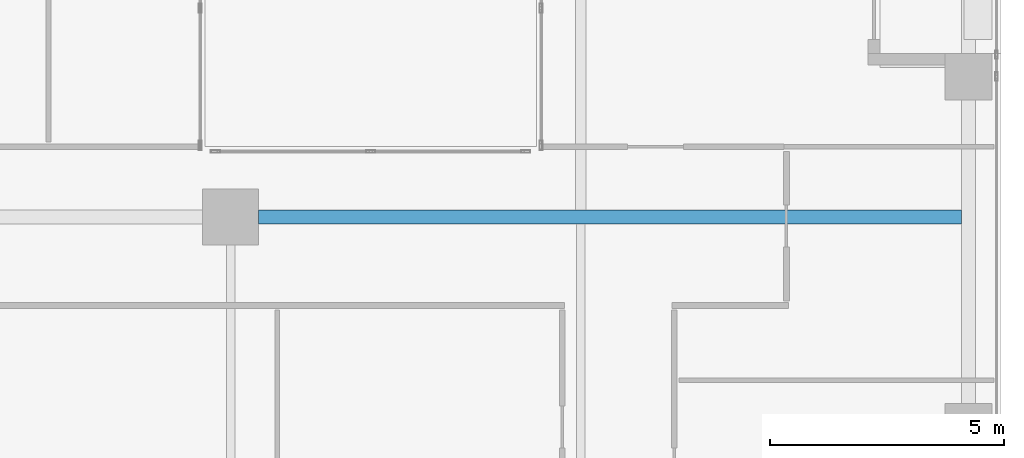
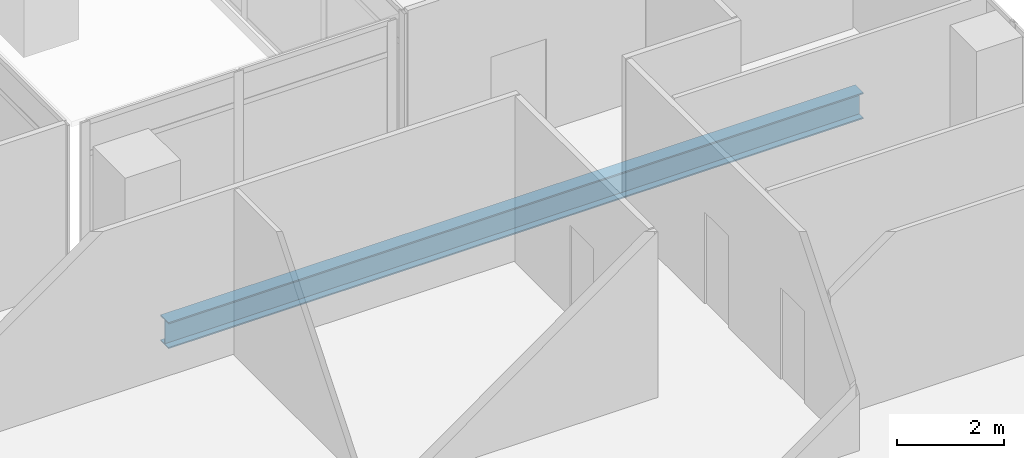
# One storey, part 16 of 40: 1 beam.
"""IFC4 building model written with IfcOpenShell, lengths in metres."""

from ifc_helpers import new_model, si_unit, direction, frame, origin, origin_2d, place, context, subcontext, project, spatial, i_section, extrude, source, transform, mapped, material, material_profile, profile_set, type_object, element, save


model = new_model("IFC4")

# Units and contexts
model_context = context("Model", 3, precision=1e-05, world=origin(), true_north=direction((0.0, 1.0)))
body_context = subcontext(model_context, "Body", "Model", "MODEL_VIEW")
ifc_project = project(units=[si_unit("LENGTHUNIT", "METRE"), si_unit("AREAUNIT", "SQUARE_METRE"), si_unit("VOLUMEUNIT", "CUBIC_METRE"), si_unit("PLANEANGLEUNIT", "RADIAN"), si_unit("MASSUNIT", "GRAM", prefix="KILO")], contexts=[model_context])

# Site, building, storey
site_placement = place(None, origin())
site = spatial("IfcSite", under=ifc_project, at=site_placement, CompositionType="ELEMENT")
building_placement = place(site_placement, origin())
building = spatial("IfcBuilding", under=site, at=building_placement, Name="Khomas Fold Tower", CompositionType="ELEMENT")
storey_placement = place(building_placement, frame((0.0, 0.0, 184.699951171875)))
storey = spatial("IfcBuildingStorey", under=building, at=storey_placement, Name="L40", CompositionType="ELEMENT", Elevation=184.699951171875)

# Beam
ifc_material = material(Name="Steel S355", Category="steel")
ifc_material_profile = material_profile(ifc_material, i_section(OverallWidth=0.300048828125, OverallDepth=0.60009765625, WebThickness=0.015380859375, FlangeThickness=0.030029296875, at=origin_2d()), Name="HE 600 B")
ifc_profile_set = profile_set([ifc_material_profile], Name="Steel S355")
beam_type = type_object("IfcBeamType", Name="HE 600 B beam GB5", PredefinedType="BEAM", material=ifc_profile_set)
shared_shape = source(origin(), body_context, "Body", "SweptSolid", [
    extrude(i_section(OverallWidth=0.300048828125, OverallDepth=0.60009765625, WebThickness=0.015380859375, FlangeThickness=0.030029296875, at=origin_2d()), origin(), (0.0, 0.0, 1.0), 15.0498046875),
])
beam_placement = place(storey_placement, frame((35.10009765625, 31.5, -0.550048828125), z_axis=(1.0, 0.0, 0.0), x_axis=(0.0, 1.0, 0.0)))
element("IfcBeam", 1, at=beam_placement, inside=storey, type_object=beam_type, Name="GB5", PredefinedType="BEAM", context=body_context, shape_type="MappedRepresentation", body=[
    mapped(shared_shape, transform((0.0, 0.0, 0.0))),
])

save(model, "model.ifc")
